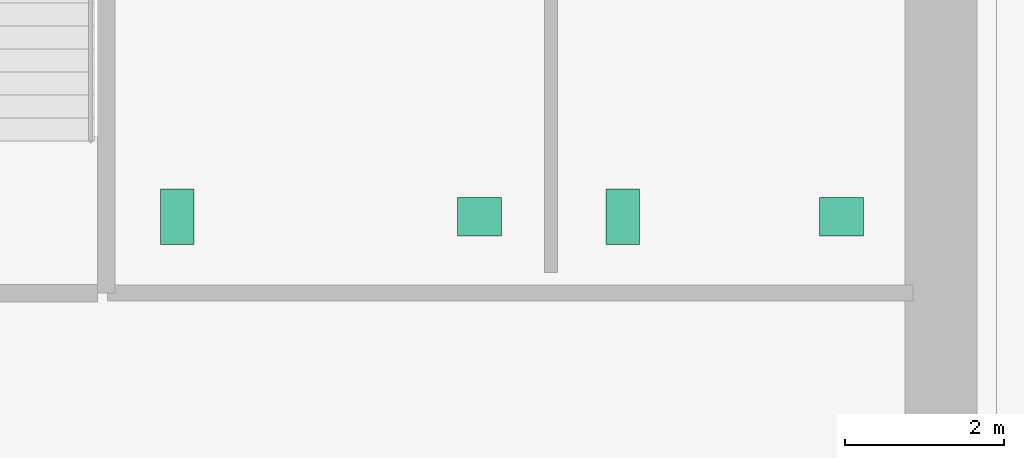
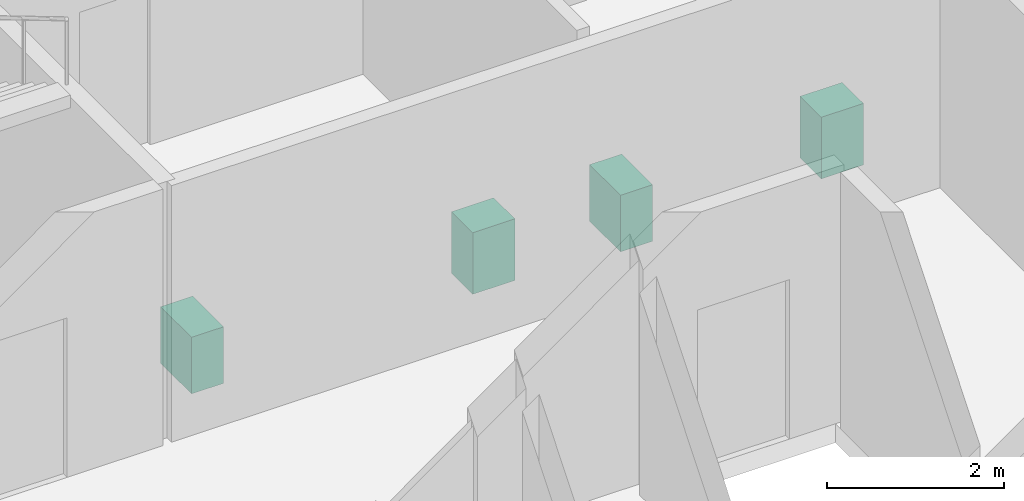
# One storey, part 13 of 13: 4 sanitary terminals.
"""IFC4 building model written with IfcOpenShell, lengths in metres."""

from ifc_helpers import new_model, si_unit, direction, frame, origin, origin_2d, place, context, subcontext, project, spatial, rectangle, extrude, material, type_object, element, save


model = new_model("IFC4")

# Units and contexts
model_context = context("Model", 3, precision=1e-05, world=origin(), true_north=direction((0.0, 1.0)))
body_context = subcontext(model_context, "Body", "Model", "MODEL_VIEW")
ifc_project = project(units=[si_unit("LENGTHUNIT", "METRE"), si_unit("AREAUNIT", "SQUARE_METRE"), si_unit("VOLUMEUNIT", "CUBIC_METRE"), si_unit("PLANEANGLEUNIT", "RADIAN"), si_unit("MASSUNIT", "GRAM", prefix="KILO")], contexts=[model_context])

# Site, building, storey
site_placement = place(None, origin())
site = spatial("IfcSite", under=ifc_project, at=site_placement, CompositionType="ELEMENT")
building_placement = place(site_placement, origin())
building = spatial("IfcBuilding", under=site, at=building_placement, Name="Norrvale University Quadrangle", CompositionType="ELEMENT")
storey_placement = place(building_placement, frame((0.0, 0.0, 47.0)))
storey = spatial("IfcBuildingStorey", under=building, at=storey_placement, Name="L11", CompositionType="ELEMENT", Elevation=47.0)

# Sanitary terminals
ifc_material = material(Name="Vitreous China Sanitaryware")
sanitary_terminal_type_1 = type_object("IfcSanitaryTerminalType", Name="Sanitary Wash Basin", PredefinedType="WASHHANDBASIN", material=ifc_material)
for number, where, z_axis, x_axis, name in (
    (1, (11.0, 41.10009765625, 0.0), (0.0, 0.0, 1.0), (1.0, 0.0, 0.0), "Accessible Countertop Washbasin L11-1"),
    (2, (15.550048828125, 41.10009765625, 0.0), (0.0, 0.0, 1.0), (1.0, 0.0, 0.0), "Accessible Countertop Washbasin L11-2"),
):
    element("IfcSanitaryTerminal", number, at=place(storey_placement, frame(where, z_axis=z_axis, x_axis=x_axis)), inside=storey, type_object=sanitary_terminal_type_1, Name=name, PredefinedType="WASHHANDBASIN", context=body_context, shape_type="SweptSolid", body=[
        extrude(rectangle(XDim=0.550048828125, YDim=0.47998046875, at=origin_2d()), origin(), (0.0, 0.0, 1.0), 0.85009765625),
    ])
sanitary_terminal_type_2 = type_object("IfcSanitaryTerminalType", Name="Sanitary Water Closet", PredefinedType="TOILETPAN", material=ifc_material)
for number, where, z_axis, x_axis, name in (
    (3, (7.199951171875, 41.10009765625, 0.0), (0.0, 0.0, 1.0), (1.0, 0.0, 0.0), "Wall-Hung Water Closet L11-1"),
    (4, (12.800048828125, 41.10009765625, 0.0), (0.0, 0.0, 1.0), (1.0, 0.0, 0.0), "Wall-Hung Water Closet L11-2"),
):
    element("IfcSanitaryTerminal", number, at=place(storey_placement, frame(where, z_axis=z_axis, x_axis=x_axis)), inside=storey, type_object=sanitary_terminal_type_2, Name=name, PredefinedType="TOILETPAN", context=body_context, shape_type="SweptSolid", body=[
        extrude(rectangle(XDim=0.419921875, YDim=0.699951171875, at=origin_2d()), origin(), (0.0, 0.0, 1.0), 0.780029296875),
    ])

save(model, "model.ifc")
